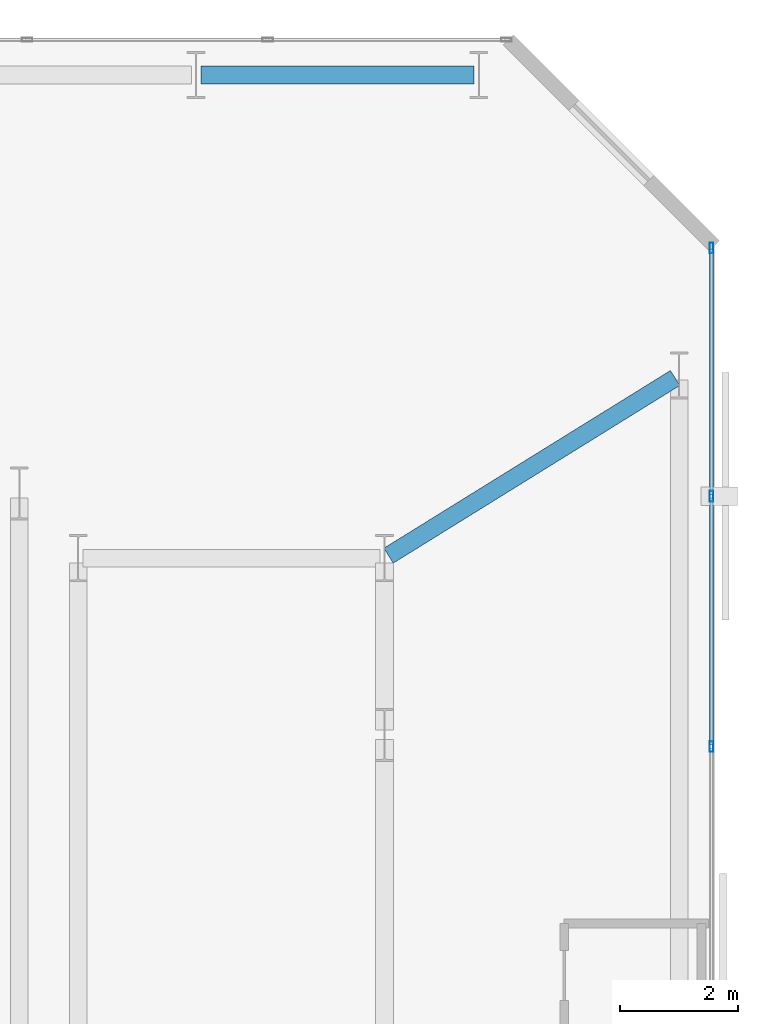
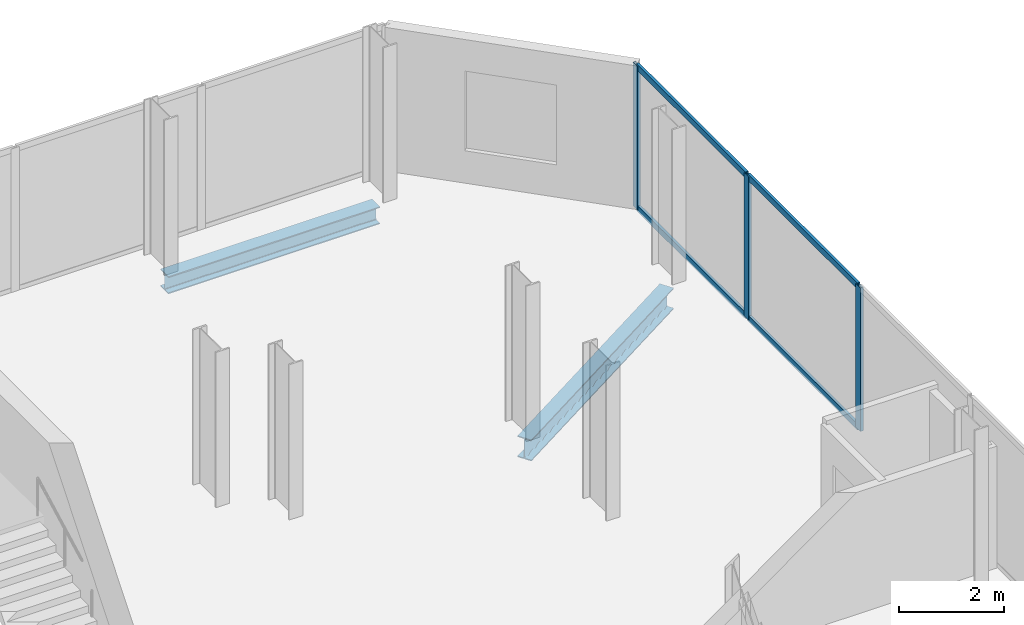
# One storey, part 25 of 33: 7 members, 2 beams, 1 element without a shape of its own.
"""IFC4 building model written with IfcOpenShell, lengths in metres."""

from ifc_helpers import new_model, si_unit, direction, frame, origin, origin_2d, place, context, subcontext, project, spatial, hollow_rectangle, i_section, extrude, material, layer, layer_set, material_profile, profile_set, type_object, element, aggregate, save


model = new_model("IFC4")

# Units and contexts
model_context = context("Model", 3, precision=1e-05, world=origin(), true_north=direction((0.0, 1.0)))
body_context = subcontext(model_context, "Body", "Model", "MODEL_VIEW")
ifc_project = project(units=[si_unit("LENGTHUNIT", "METRE"), si_unit("AREAUNIT", "SQUARE_METRE"), si_unit("VOLUMEUNIT", "CUBIC_METRE"), si_unit("PLANEANGLEUNIT", "RADIAN"), si_unit("MASSUNIT", "GRAM", prefix="KILO")], contexts=[model_context])

# Site, building, storey
site_placement = place(None, origin())
site = spatial("IfcSite", under=ifc_project, at=site_placement, CompositionType="ELEMENT")
building_placement = place(site_placement, origin())
building = spatial("IfcBuilding", under=site, at=building_placement, Name="Catumbela Crestline Tower", CompositionType="ELEMENT")
storey_placement = place(building_placement, frame((0.0, 0.0, 72.6)))
storey = spatial("IfcBuildingStorey", under=building, at=storey_placement, Name="L18", CompositionType="ELEMENT", Elevation=72.6)

# Beam
ifc_material_1 = material(Name="Structural steel S355J2", Category="steel")
ifc_material_profile_1 = material_profile(ifc_material_1, i_section(OverallWidth=0.3, OverallDepth=0.49, WebThickness=0.012, FlangeThickness=0.023, FilletRadius=0.027, at=origin_2d()), Name="HEA 500")
ifc_profile_set_1 = profile_set([ifc_material_profile_1], Name="Structural steel S355J2")
beam_type_1 = type_object("IfcBeamType", Name="BG-HEA500", PredefinedType="BEAM", material=ifc_profile_set_1)
beam_1_placement = place(storey_placement, frame((50.468, 39.2422, -0.505), z_axis=(0.849908952007, 0.526929571479, 0.0), x_axis=(-0.526929571479, 0.849908952007, 0.0)))
element("IfcBeam", 1, at=beam_1_placement, inside=storey, type_object=beam_type_1, Name="L18 Beam BM-L18-N18", PredefinedType="BEAM", context=body_context, shape_type="SweptSolid", body=[
    extrude(i_section(OverallWidth=0.3, OverallDepth=0.49, WebThickness=0.012, FlangeThickness=0.023, FilletRadius=0.027, at=origin_2d()), origin(), (0.0, 0.0, 1.0), 5.723),
])

# Curtain wall, members
ifc_material_2 = material(Name="Aluminium alloy AW-6060-T66", Category="aluminium")
ifc_layer = layer(ifc_material_2, 0.18, Name="Aluminium alloy AW-6060-T66")
ifc_layer_set = layer_set([ifc_layer], Name="Aluminium alloy AW-6060-T66")
curtain_wall_type = type_object("IfcCurtainWallType", Name="CWU-Z1", PredefinedType="USERDEFINED", material=ifc_layer_set)
curtain_wall_placement = place(storey_placement, origin())
curtain_wall = element("IfcCurtainWall", 2, at=curtain_wall_placement, inside=storey, type_object=curtain_wall_type, Name="L18 Unitised Curtain Wall CW-L18-E5S1", ObjectType="UNITISED", PredefinedType="USERDEFINED")
ifc_material_profile_2 = material_profile(ifc_material_2, hollow_rectangle(XDim=0.065, YDim=0.18, WallThickness=0.004, at=origin_2d()), Name="ALU 180x65x4")
ifc_profile_set_2 = profile_set([ifc_material_profile_2], Name="Aluminium alloy AW-6060-T66")
member_type_1 = type_object("IfcMemberType", Name="MUL-180X65", PredefinedType="MULLION", material=ifc_profile_set_2)
member_1_placement = place(storey_placement, frame((55.95, 36.0, 0.0), z_axis=(0.0, 0.0, 1.0), x_axis=(-1.0, 0.0, 0.0)))
member_1 = element("IfcMember", 3, at=member_1_placement, type_object=member_type_1, Name="CWU-Z1 mullion 3", PredefinedType="MULLION", context=body_context, shape_type="SweptSolid", body=[
    extrude(hollow_rectangle(XDim=0.065, YDim=0.18, WallThickness=0.004, at=origin_2d()), origin(), (0.0, 0.0, 1.0), 3.33),
])
member_2_placement = place(storey_placement, frame((55.95, 40.25, 0.0), z_axis=(0.0, 0.0, 1.0), x_axis=(-1.0, 0.0, 0.0)))
member_2 = element("IfcMember", 4, at=member_2_placement, type_object=member_type_1, Name="CWU-Z1 mullion 4", PredefinedType="MULLION", context=body_context, shape_type="SweptSolid", body=[
    extrude(hollow_rectangle(XDim=0.065, YDim=0.18, WallThickness=0.004, at=origin_2d()), origin(), (0.0, 0.0, 1.0), 3.33),
])
member_3_placement = place(storey_placement, frame((55.95, 44.4675, 0.0), z_axis=(0.0, 0.0, 1.0), x_axis=(-1.0, 0.0, 0.0)))
member_3 = element("IfcMember", 5, at=member_3_placement, type_object=member_type_1, Name="CWU-Z1 mullion 5", PredefinedType="MULLION", context=body_context, shape_type="SweptSolid", body=[
    extrude(hollow_rectangle(XDim=0.065, YDim=0.18, WallThickness=0.004, at=origin_2d()), origin(), (0.0, 0.0, 1.0), 3.33),
])

# Beam
ifc_material_profile_3 = material_profile(ifc_material_1, i_section(OverallWidth=0.3, OverallDepth=0.4, WebThickness=0.0135, FlangeThickness=0.024, FilletRadius=0.027, at=origin_2d()), Name="HEB 400")
ifc_profile_set_3 = profile_set([ifc_material_profile_3], Name="Structural steel S355J2")
beam_type_2 = type_object("IfcBeamType", Name="BS-HEB400", PredefinedType="SPANDREL", material=ifc_profile_set_3)
beam_2_placement = place(storey_placement, frame((47.28, 47.4, -0.46), z_axis=(1.0, 0.0, 0.0), x_axis=(0.0, 1.0, 0.0)))
element("IfcBeam", 6, at=beam_2_placement, inside=storey, type_object=beam_type_2, Name="L18 Spandrel SP-L18-NF24", PredefinedType="SPANDREL", context=body_context, shape_type="SweptSolid", body=[
    extrude(i_section(OverallWidth=0.3, OverallDepth=0.4, WebThickness=0.0135, FlangeThickness=0.024, FilletRadius=0.027, at=origin_2d()), origin(), (0.0, 0.0, 1.0), 4.64),
])

# Member
ifc_material_profile_4 = material_profile(ifc_material_2, hollow_rectangle(XDim=0.06, YDim=0.14, WallThickness=0.004, at=origin_2d()), Name="ALU 140x60x4")
ifc_profile_set_4 = profile_set([ifc_material_profile_4], Name="Aluminium alloy AW-6060-T66")
member_type_2 = type_object("IfcMemberType", Name="TRN-140X60", PredefinedType="USERDEFINED", material=ifc_profile_set_4)
member_4_placement = place(storey_placement, frame((55.95, 36.0325, 0.03), z_axis=(0.0, 1.0, 0.0), x_axis=(-1.0, 0.0, 0.0)))
member_4 = element("IfcMember", 7, at=member_4_placement, type_object=member_type_2, Name="CWU-Z1 transom 3.1", ObjectType="TRANSOM", PredefinedType="USERDEFINED", context=body_context, shape_type="SweptSolid", body=[
    extrude(hollow_rectangle(XDim=0.06, YDim=0.14, WallThickness=0.004, at=origin_2d()), origin(), (0.0, 0.0, 1.0), 4.185),
])

member_5_placement = place(storey_placement, frame((55.95, 36.0325, 3.3), z_axis=(0.0, 1.0, 0.0), x_axis=(-1.0, 0.0, 0.0)))
member_5 = element("IfcMember", 8, at=member_5_placement, type_object=member_type_2, Name="CWU-Z1 transom 3.2", ObjectType="TRANSOM", PredefinedType="USERDEFINED", context=body_context, shape_type="SweptSolid", body=[
    extrude(hollow_rectangle(XDim=0.06, YDim=0.14, WallThickness=0.004, at=origin_2d()), origin(), (0.0, 0.0, 1.0), 4.185),
])

member_6_placement = place(storey_placement, frame((55.95, 40.2825, 0.03), z_axis=(0.0, 1.0, 0.0), x_axis=(-1.0, 0.0, 0.0)))
member_6 = element("IfcMember", 9, at=member_6_placement, type_object=member_type_2, Name="CWU-Z1 transom 4.1", ObjectType="TRANSOM", PredefinedType="USERDEFINED", context=body_context, shape_type="SweptSolid", body=[
    extrude(hollow_rectangle(XDim=0.06, YDim=0.14, WallThickness=0.004, at=origin_2d()), origin(), (0.0, 0.0, 1.0), 4.1525),
])

member_7_placement = place(storey_placement, frame((55.95, 40.2825, 3.3), z_axis=(0.0, 1.0, 0.0), x_axis=(-1.0, 0.0, 0.0)))
member_7 = element("IfcMember", 10, at=member_7_placement, type_object=member_type_2, Name="CWU-Z1 transom 4.2", ObjectType="TRANSOM", PredefinedType="USERDEFINED", context=body_context, shape_type="SweptSolid", body=[
    extrude(hollow_rectangle(XDim=0.06, YDim=0.14, WallThickness=0.004, at=origin_2d()), origin(), (0.0, 0.0, 1.0), 4.1525),
])

aggregate(curtain_wall, [member_1, member_2, member_3, member_4, member_5, member_6, member_7])

save(model, "model.ifc")
